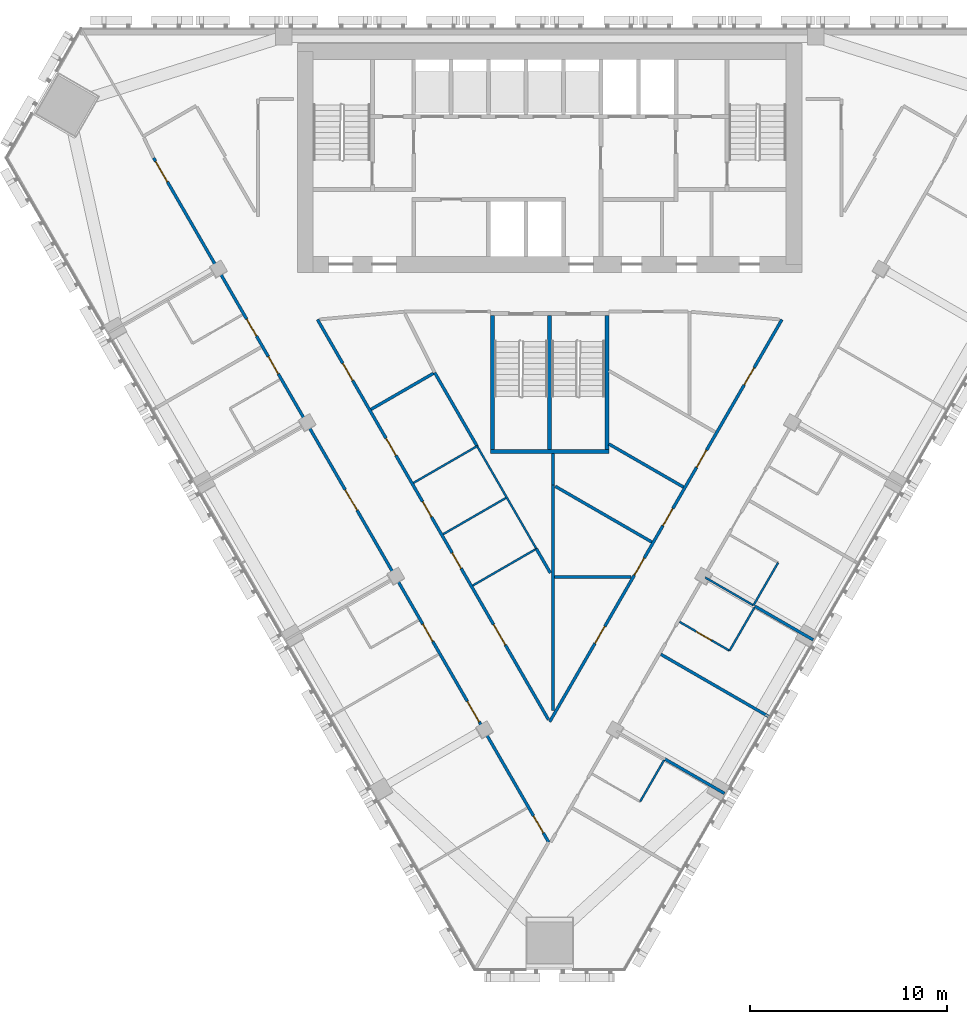
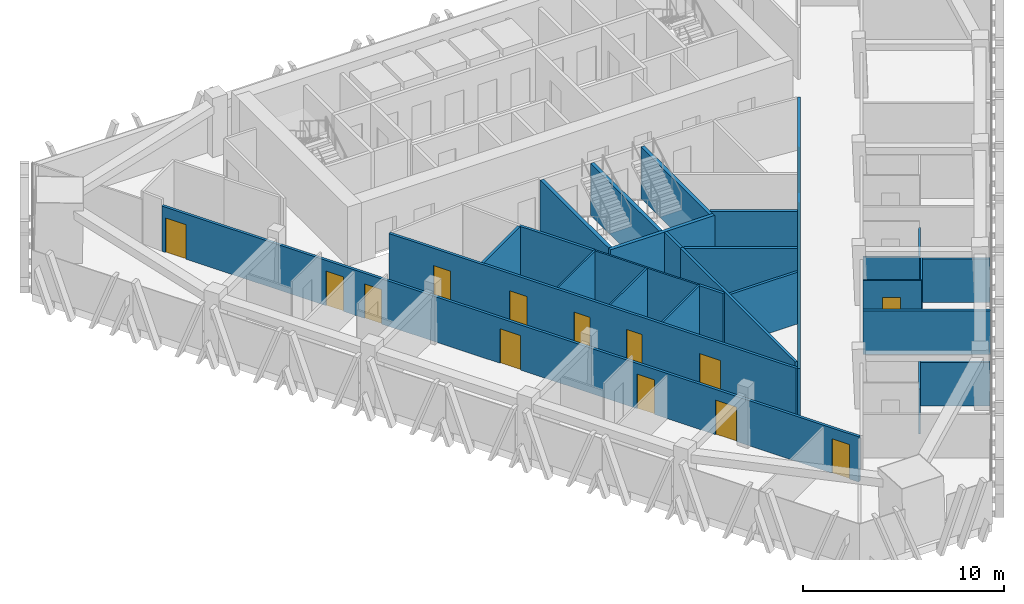
# One storey, part 9 of 16: 27 walls, 18 doors, 18 openings.
"""IFC4 building model written with IfcOpenShell, lengths in metres."""

from ifc_helpers import new_model, si_unit, direction, frame, frame_2d, origin, place, context, subcontext, project, spatial, rectangle, extrude, material, layer, layer_set, type_object, element, fill, save


model = new_model("IFC4")

# Units and contexts
model_context = context("Model", 3, precision=1e-05, world=origin(), true_north=direction((0.0, 1.0)))
body_context = subcontext(model_context, "Body", "Model", "MODEL_VIEW")
ifc_project = project(units=[si_unit("LENGTHUNIT", "METRE"), si_unit("AREAUNIT", "SQUARE_METRE"), si_unit("VOLUMEUNIT", "CUBIC_METRE"), si_unit("PLANEANGLEUNIT", "RADIAN"), si_unit("MASSUNIT", "GRAM", prefix="KILO")], contexts=[model_context])

# Site, building, storey
site_placement = place(None, origin())
site = spatial("IfcSite", under=ifc_project, at=site_placement, CompositionType="ELEMENT")
building_placement = place(site_placement, origin())
building = spatial("IfcBuilding", under=site, at=building_placement, Name="Altiplano Prism Tower", CompositionType="ELEMENT")
storey_placement = place(building_placement, frame((0.0, 0.0, 138.60009765625)))
storey = spatial("IfcBuildingStorey", under=building, at=storey_placement, Name="L35", CompositionType="ELEMENT", Elevation=138.60009765625)

# Walls
ifc_material_1 = material(Name="Plasterboard on steel stud", Category="steel")
ifc_layer_1 = layer(ifc_material_1, 0.10009765625)
ifc_layer_set_1 = layer_set([ifc_layer_1], Name="Plasterboard on steel stud")
wall_type_1 = type_object("IfcWallType", Name="Partition 100 unit", PredefinedType="PARTITIONING", material=ifc_layer_set_1)
wall_1_placement = place(storey_placement, frame((90.8017578125, 67.838623046875, 0.0), z_axis=(0.0, 0.0, 1.0), x_axis=(-0.500047793048, -0.865997808697, 0.0)))
element("IfcWall", 1, at=wall_1_placement, inside=storey, type_object=wall_type_1, Name="Partition P02 L35 043", PredefinedType="PARTITIONING", context=body_context, shape_type="SweptSolid", body=[
    extrude(rectangle(XDim=2.425048828125, YDim=0.10009765625, at=frame_2d((1.21240234375, 0.0))), origin(), (0.0, 0.0, 1.0), 2.75),
])
wall_2_placement = place(storey_placement, frame((95.38818359375, 75.582763671875, 0.0), z_axis=(0.0, 0.0, 1.0), x_axis=(-0.50001820224, -0.866014894461, 0.0)))
element("IfcWall", 2, at=wall_2_placement, inside=storey, type_object=wall_type_1, Name="Partition P02 L35 048", PredefinedType="PARTITIONING", context=body_context, shape_type="SweptSolid", body=[
    extrude(rectangle(XDim=2.52490234375, YDim=0.10009765625, at=frame_2d((1.262451171875, 0.0))), origin(), (0.0, 0.0, 1.0), 2.75),
])

# Wall, opening, door
wall_3_placement = place(storey_placement, frame((94.125732421875, 73.396240234375, 0.0), z_axis=(0.0, 0.0, 1.0), x_axis=(-0.866046596414, 0.499963291492, 0.0)))
wall_3 = element("IfcWall", 3, at=wall_3_placement, inside=storey, type_object=wall_type_1, Name="Partition P02 L35 049", PredefinedType="PARTITIONING", context=body_context, shape_type="SweptSolid", body=[
    extrude(rectangle(XDim=2.925048828125, YDim=0.10009765625, at=frame_2d((1.46240234375, 0.0))), origin(), (0.0, 0.0, 1.0), 3.14990234375),
])
opening_1_placement = place(wall_3_placement, frame((1.050048828125, 0.0, 0.0)))
opening_1 = element("IfcOpeningElement", 4, at=opening_1_placement, cuts=wall_3, Name="Opening D1278", PredefinedType="OPENING", context=body_context, shape_type="SweptSolid", body=[
    extrude(rectangle(XDim=0.89990234375, YDim=2.10009765625, at=frame_2d((0.449951171875, 1.050048828125))), frame((0.0, 0.060546875, 0.0), z_axis=(0.0, -1.0, 0.0), x_axis=(1.0, 0.0, 0.0)), (0.0, 0.0, 1.0), 0.12109375),
])
ifc_material_2 = material(Name="Timber", Category="wood")
door_type_1 = type_object("IfcDoorType", Name="Ensuite door 900 x 2100", OperationType="NOTDEFINED", PredefinedType="NOTDEFINED", material=ifc_material_2)
door_1_placement = place(opening_1_placement, origin())
door_1 = element("IfcDoor", 5, at=door_1_placement, inside=storey, type_object=door_type_1, Name="Door D1278", OperationType="SINGLE_SWING_LEFT", OverallHeight=2.10009765625, OverallWidth=0.89990234375, PredefinedType="NOTDEFINED", context=body_context, shape_type="SweptSolid", body=[
    extrude(rectangle(XDim=0.89990234375, YDim=2.10009765625, at=frame_2d((0.449951171875, 1.050048828125))), frame((0.0, 0.02490234375, 0.0), z_axis=(0.0, -1.0, 0.0), x_axis=(1.0, 0.0, 0.0)), (0.0, 0.0, 1.0), 0.050048828125),
])
fill(opening_1, door_1)

# Walls
wall_4_placement = place(storey_placement, frame((96.589111328125, 77.86279296875, 0.0), z_axis=(0.0, 0.0, 1.0), x_axis=(-0.500004234368, -0.866022959057, 0.0)))
element("IfcWall", 6, at=wall_4_placement, inside=storey, type_object=wall_type_1, Name="Partition P02 L35 053", PredefinedType="PARTITIONING", context=body_context, shape_type="SweptSolid", body=[
    extrude(rectangle(XDim=2.5, YDim=0.10009765625, at=frame_2d((1.25, 0.0))), origin(), (0.0, 0.0, 1.0), 2.75),
])
ifc_layer_2 = layer(ifc_material_1, 0.10009765625)
ifc_layer_set_2 = layer_set([ifc_layer_2], Name="Plasterboard on steel stud")
wall_type_2 = type_object("IfcWallType", Name="Partition 100 wet", PredefinedType="PARTITIONING", material=ifc_layer_set_2)
wall_5_placement = place(storey_placement, frame((82.77685546875, 81.14794921875, 0.0), z_axis=(0.0, 0.0, 1.0), x_axis=(-0.866020910976, -0.500007781692, 0.0)))
element("IfcWall", 7, at=wall_5_placement, inside=storey, type_object=wall_type_2, Name="Partition P03 L35 021", PredefinedType="PARTITIONING", context=body_context, shape_type="SweptSolid", body=[
    extrude(rectangle(XDim=3.6787109375, YDim=0.10009765625, at=frame_2d((1.83935546875, 0.0))), origin(), (0.0, 0.0, 1.0), 3.14990234375),
])
wall_6_placement = place(storey_placement, frame((84.333984375, 78.551025390625, 0.0), z_axis=(0.0, 0.0, 1.0), x_axis=(-0.500002829465, 0.866023770186, 0.0)))
element("IfcWall", 8, at=wall_6_placement, inside=storey, type_object=wall_type_2, Name="Partition P03 L35 022", PredefinedType="PARTITIONING", context=body_context, shape_type="SweptSolid", body=[
    extrude(rectangle(XDim=6.05517578125, YDim=0.10009765625, at=frame_2d((3.027587890625, 0.0))), origin(), (0.0, 0.0, 1.0), 3.14990234375),
])
for number, where, z_axis, x_axis, name in (
    (9, (81.0947265625, 76.703857421875, 0.0), (0.0, 0.0, 1.0), (0.866014403787, 0.50001905207, 0.0), "Partition P03 L35 023"),
    (10, (81.31640625, 83.777587890625, 0.0), (0.0, 0.0, 1.0), (-0.866014403787, -0.50001905207, 0.0), "Partition P03 L35 024"),
):
    element("IfcWall", number, at=place(storey_placement, frame(where, z_axis=z_axis, x_axis=x_axis)), inside=storey, type_object=wall_type_2, Name=name, PredefinedType="PARTITIONING", context=body_context, shape_type="SweptSolid", body=[
        extrude(rectangle(XDim=3.728759765625, YDim=0.10009765625, at=frame_2d((1.8642578125, 0.0))), origin(), (0.0, 0.0, 1.0), 3.14990234375),
    ])
wall_7_placement = place(storey_placement, frame((95.339111328125, 75.69775390625, 0.0), z_axis=(0.0, 0.0, 1.0), x_axis=(-0.866011447264, 0.500024172624, 0.0)))
element("IfcWall", 11, at=wall_7_placement, inside=storey, type_object=wall_type_2, Name="Partition P03 L35 051", PredefinedType="PARTITIONING", context=body_context, shape_type="SweptSolid", body=[
    extrude(rectangle(XDim=2.824951171875, YDim=0.10009765625, at=frame_2d((1.41259765625, 0.0))), origin(), (0.0, 0.0, 1.0), 2.75),
])

# Wall, openings, doors
ifc_layer_3 = layer(ifc_material_1, 0.14990234375)
ifc_layer_set_3 = layer_set([ifc_layer_3], Name="Plasterboard on steel stud")
wall_type_3 = type_object("IfcWallType", Name="Partition 150 corridor", PredefinedType="PARTITIONING", material=ifc_layer_set_3)
wall_8_placement = place(storey_placement, frame((84.93505859375, 69.90234375, 0.0), z_axis=(0.0, 0.0, 1.0), x_axis=(-0.499997468525, 0.866026865327, 0.0)))
wall_8 = element("IfcWall", 12, at=wall_8_placement, inside=storey, type_object=wall_type_3, Name="Partition P06 L35 001", PredefinedType="PARTITIONING", context=body_context, shape_type="SweptSolid", body=[
    extrude(rectangle(XDim=23.4375, YDim=0.14990234375, at=frame_2d((11.71875, 0.0))), origin(), (0.0, 0.0, 1.0), 3.14990234375),
])
opening_2_placement = place(wall_8_placement, frame((8.864013671875, 0.0, 0.0)))
opening_2 = element("IfcOpeningElement", 13, at=opening_2_placement, cuts=wall_8, Name="Opening D1259", PredefinedType="OPENING", context=body_context, shape_type="SweptSolid", body=[
    extrude(rectangle(XDim=0.89990234375, YDim=2.10009765625, at=frame_2d((0.449951171875, 1.050048828125))), frame((0.0, 0.08544921875, 0.0), z_axis=(0.0, -1.0, 0.0), x_axis=(1.0, 0.0, 0.0)), (0.0, 0.0, 1.0), 0.1708984375),
])
opening_3_placement = place(wall_8_placement, frame((11.8720703125, 0.0, 0.0)))
opening_3 = element("IfcOpeningElement", 14, at=opening_3_placement, cuts=wall_8, Name="Opening D1260", PredefinedType="OPENING", context=body_context, shape_type="SweptSolid", body=[
    extrude(rectangle(XDim=0.89990234375, YDim=2.10009765625, at=frame_2d((0.449951171875, 1.050048828125))), frame((0.0, 0.08544921875, 0.0), z_axis=(0.0, -1.0, 0.0), x_axis=(1.0, 0.0, 0.0)), (0.0, 0.0, 1.0), 0.1708984375),
])
opening_4_placement = place(wall_8_placement, frame((4.367919921875, 0.0, 0.0)))
opening_4 = element("IfcOpeningElement", 15, at=opening_4_placement, cuts=wall_8, Name="Opening D1289", PredefinedType="OPENING", context=body_context, shape_type="SweptSolid", body=[
    extrude(rectangle(XDim=1.199951171875, YDim=2.10009765625, at=frame_2d((0.60009765625, 1.050048828125))), frame((0.0, 0.08544921875, 0.0), z_axis=(0.0, -1.0, 0.0), x_axis=(1.0, 0.0, 0.0)), (0.0, 0.0, 1.0), 0.1708984375),
])
opening_5_placement = place(wall_8_placement, frame((15.47900390625, 0.0, 0.0)))
opening_5 = element("IfcOpeningElement", 16, at=opening_5_placement, cuts=wall_8, Name="Opening D1293", PredefinedType="OPENING", context=body_context, shape_type="SweptSolid", body=[
    extrude(rectangle(XDim=1.0, YDim=2.10009765625, at=frame_2d((0.5, 1.050048828125))), frame((0.0, 0.08544921875, 0.0), z_axis=(0.0, -1.0, 0.0), x_axis=(1.0, 0.0, 0.0)), (0.0, 0.0, 1.0), 0.1708984375),
])
opening_6_placement = place(wall_8_placement, frame((19.876953125, 0.0, 0.0)))
opening_6 = element("IfcOpeningElement", 17, at=opening_6_placement, cuts=wall_8, Name="Opening D1294", PredefinedType="OPENING", context=body_context, shape_type="SweptSolid", body=[
    extrude(rectangle(XDim=1.0, YDim=2.10009765625, at=frame_2d((0.5, 1.050048828125))), frame((0.0, 0.08544921875, 0.0), z_axis=(0.0, -1.0, 0.0), x_axis=(1.0, 0.0, 0.0)), (0.0, 0.0, 1.0), 0.1708984375),
])
door_type_2 = type_object("IfcDoorType", Name="Room door 1000 x 2100", OperationType="NOTDEFINED", PredefinedType="NOTDEFINED", material=ifc_material_2)
door_2_placement = place(opening_6_placement, origin())
door_2 = element("IfcDoor", 18, at=door_2_placement, inside=storey, type_object=door_type_2, Name="Door D1294", OperationType="SINGLE_SWING_RIGHT", OverallHeight=2.10009765625, OverallWidth=1.0, PredefinedType="NOTDEFINED", context=body_context, shape_type="SweptSolid", body=[
    extrude(rectangle(XDim=1.0, YDim=2.10009765625, at=frame_2d((0.5, 1.050048828125))), frame((0.0, 0.02490234375, 0.0), z_axis=(0.0, -1.0, 0.0), x_axis=(1.0, 0.0, 0.0)), (0.0, 0.0, 1.0), 0.050048828125),
])
fill(opening_6, door_2)
door_type_3 = type_object("IfcDoorType", Name="Shared room door 1200 x 2100", OperationType="NOTDEFINED", PredefinedType="NOTDEFINED", material=ifc_material_2)
door_3_placement = place(opening_4_placement, origin())
door_3 = element("IfcDoor", 19, at=door_3_placement, inside=storey, type_object=door_type_3, Name="Door D1289", OperationType="SINGLE_SWING_LEFT", OverallHeight=2.10009765625, OverallWidth=1.199951171875, PredefinedType="NOTDEFINED", context=body_context, shape_type="SweptSolid", body=[
    extrude(rectangle(XDim=1.199951171875, YDim=2.10009765625, at=frame_2d((0.60009765625, 1.050048828125))), frame((0.0, 0.02490234375, 0.0), z_axis=(0.0, -1.0, 0.0), x_axis=(1.0, 0.0, 0.0)), (0.0, 0.0, 1.0), 0.050048828125),
])
fill(opening_4, door_3)
door_type_4 = type_object("IfcDoorType", Name="Store door 1000 x 2100", OperationType="NOTDEFINED", PredefinedType="NOTDEFINED", material=ifc_material_2)
door_4_placement = place(opening_5_placement, origin())
door_4 = element("IfcDoor", 20, at=door_4_placement, inside=storey, type_object=door_type_4, Name="Door D1293", OperationType="SINGLE_SWING_LEFT", OverallHeight=2.10009765625, OverallWidth=1.0, PredefinedType="NOTDEFINED", context=body_context, shape_type="SweptSolid", body=[
    extrude(rectangle(XDim=1.0, YDim=2.10009765625, at=frame_2d((0.5, 1.050048828125))), frame((0.0, 0.02490234375, 0.0), z_axis=(0.0, -1.0, 0.0), x_axis=(1.0, 0.0, 0.0)), (0.0, 0.0, 1.0), 0.050048828125),
])
fill(opening_5, door_4)
door_type_5 = type_object("IfcDoorType", Name="Toilet door 900 x 2100", OperationType="NOTDEFINED", PredefinedType="NOTDEFINED", material=ifc_material_2)
door_5_placement = place(opening_2_placement, origin())
door_5 = element("IfcDoor", 21, at=door_5_placement, inside=storey, type_object=door_type_5, Name="Door D1259", OperationType="SINGLE_SWING_RIGHT", OverallHeight=2.10009765625, OverallWidth=0.89990234375, PredefinedType="NOTDEFINED", context=body_context, shape_type="SweptSolid", body=[
    extrude(rectangle(XDim=0.89990234375, YDim=2.10009765625, at=frame_2d((0.449951171875, 1.050048828125))), frame((0.0, 0.02490234375, 0.0), z_axis=(0.0, -1.0, 0.0), x_axis=(1.0, 0.0, 0.0)), (0.0, 0.0, 1.0), 0.050048828125),
])
fill(opening_2, door_5)
door_6_placement = place(opening_3_placement, origin())
door_6 = element("IfcDoor", 22, at=door_6_placement, inside=storey, type_object=door_type_5, Name="Door D1260", OperationType="SINGLE_SWING_LEFT", OverallHeight=2.10009765625, OverallWidth=0.89990234375, PredefinedType="NOTDEFINED", context=body_context, shape_type="SweptSolid", body=[
    extrude(rectangle(XDim=0.89990234375, YDim=2.10009765625, at=frame_2d((0.449951171875, 1.050048828125))), frame((0.0, 0.02490234375, 0.0), z_axis=(0.0, -1.0, 0.0), x_axis=(1.0, 0.0, 0.0)), (0.0, 0.0, 1.0), 0.050048828125),
])
fill(opening_3, door_6)

wall_9_placement = place(storey_placement, frame((96.78369140625, 90.199951171875, 0.0), z_axis=(0.0, 0.0, 1.0), x_axis=(-0.499996251233, -0.866027568125, 0.0)))
wall_9 = element("IfcWall", 23, at=wall_9_placement, inside=storey, type_object=wall_type_3, Name="Partition P06 L35 002", PredefinedType="PARTITIONING", context=body_context, shape_type="SweptSolid", body=[
    extrude(rectangle(XDim=23.567626953125, YDim=0.14990234375, at=frame_2d((11.78369140625, 0.0))), origin(), (0.0, 0.0, 1.0), 3.14990234375),
])
opening_7_placement = place(wall_9_placement, frame((17.971923828125, 0.0, 0.0)))
opening_7 = element("IfcOpeningElement", 24, at=opening_7_placement, cuts=wall_9, Name="Opening D1261", PredefinedType="OPENING", context=body_context, shape_type="SweptSolid", body=[
    extrude(rectangle(XDim=1.0, YDim=2.10009765625, at=frame_2d((0.5, 1.050048828125))), frame((0.0, 0.08544921875, 0.0), z_axis=(0.0, -1.0, 0.0), x_axis=(1.0, 0.0, 0.0)), (0.0, 0.0, 1.0), 0.1708984375),
])
opening_8_placement = place(wall_9_placement, frame((13.97607421875, 0.0, 0.0)))
opening_8 = element("IfcOpeningElement", 25, at=opening_8_placement, cuts=wall_9, Name="Opening D1262", PredefinedType="OPENING", context=body_context, shape_type="SweptSolid", body=[
    extrude(rectangle(XDim=1.0, YDim=2.10009765625, at=frame_2d((0.5, 1.050048828125))), frame((0.0, 0.08544921875, 0.0), z_axis=(0.0, -1.0, 0.0), x_axis=(1.0, 0.0, 0.0)), (0.0, 0.0, 1.0), 0.1708984375),
])
opening_9_placement = place(wall_9_placement, frame((11.076904296875, 0.0, 0.0)))
opening_9 = element("IfcOpeningElement", 26, at=opening_9_placement, cuts=wall_9, Name="Opening D1290", PredefinedType="OPENING", context=body_context, shape_type="SweptSolid", body=[
    extrude(rectangle(XDim=1.0, YDim=2.10009765625, at=frame_2d((0.5, 1.050048828125))), frame((0.0, 0.08544921875, 0.0), z_axis=(0.0, -1.0, 0.0), x_axis=(1.0, 0.0, 0.0)), (0.0, 0.0, 1.0), 0.1708984375),
])
opening_10_placement = place(wall_9_placement, frame((7.656005859375, 0.0, 0.0)))
opening_10 = element("IfcOpeningElement", 27, at=opening_10_placement, cuts=wall_9, Name="Opening D1291", PredefinedType="OPENING", context=body_context, shape_type="SweptSolid", body=[
    extrude(rectangle(XDim=1.0, YDim=2.10009765625, at=frame_2d((0.5, 1.050048828125))), frame((0.0, 0.08544921875, 0.0), z_axis=(0.0, -1.0, 0.0), x_axis=(1.0, 0.0, 0.0)), (0.0, 0.0, 1.0), 0.1708984375),
])
opening_11_placement = place(wall_9_placement, frame((2.83203125, 0.0, 0.0)))
opening_11 = element("IfcOpeningElement", 28, at=opening_11_placement, cuts=wall_9, Name="Opening D1292", PredefinedType="OPENING", context=body_context, shape_type="SweptSolid", body=[
    extrude(rectangle(XDim=1.0, YDim=2.10009765625, at=frame_2d((0.5, 1.050048828125))), frame((0.0, 0.08544921875, 0.0), z_axis=(0.0, -1.0, 0.0), x_axis=(1.0, 0.0, 0.0)), (0.0, 0.0, 1.0), 0.1708984375),
])
door_7_placement = place(opening_10_placement, origin())
door_7 = element("IfcDoor", 29, at=door_7_placement, inside=storey, type_object=door_type_2, Name="Door D1291", OperationType="SINGLE_SWING_LEFT", OverallHeight=2.10009765625, OverallWidth=1.0, PredefinedType="NOTDEFINED", context=body_context, shape_type="SweptSolid", body=[
    extrude(rectangle(XDim=1.0, YDim=2.10009765625, at=frame_2d((0.5, 1.050048828125))), frame((0.0, 0.02490234375, 0.0), z_axis=(0.0, -1.0, 0.0), x_axis=(1.0, 0.0, 0.0)), (0.0, 0.0, 1.0), 0.050048828125),
])
fill(opening_10, door_7)
door_8_placement = place(opening_7_placement, origin())
door_8 = element("IfcDoor", 30, at=door_8_placement, inside=storey, type_object=door_type_4, Name="Door D1261", OperationType="SINGLE_SWING_LEFT", OverallHeight=2.10009765625, OverallWidth=1.0, PredefinedType="NOTDEFINED", context=body_context, shape_type="SweptSolid", body=[
    extrude(rectangle(XDim=1.0, YDim=2.10009765625, at=frame_2d((0.5, 1.050048828125))), frame((0.0, 0.02490234375, 0.0), z_axis=(0.0, -1.0, 0.0), x_axis=(1.0, 0.0, 0.0)), (0.0, 0.0, 1.0), 0.050048828125),
])
fill(opening_7, door_8)
door_9_placement = place(opening_8_placement, origin())
door_9 = element("IfcDoor", 31, at=door_9_placement, inside=storey, type_object=door_type_4, Name="Door D1262", OperationType="SINGLE_SWING_LEFT", OverallHeight=2.10009765625, OverallWidth=1.0, PredefinedType="NOTDEFINED", context=body_context, shape_type="SweptSolid", body=[
    extrude(rectangle(XDim=1.0, YDim=2.10009765625, at=frame_2d((0.5, 1.050048828125))), frame((0.0, 0.02490234375, 0.0), z_axis=(0.0, -1.0, 0.0), x_axis=(1.0, 0.0, 0.0)), (0.0, 0.0, 1.0), 0.050048828125),
])
fill(opening_8, door_9)
door_10_placement = place(opening_9_placement, origin())
door_10 = element("IfcDoor", 32, at=door_10_placement, inside=storey, type_object=door_type_4, Name="Door D1290", OperationType="SINGLE_SWING_LEFT", OverallHeight=2.10009765625, OverallWidth=1.0, PredefinedType="NOTDEFINED", context=body_context, shape_type="SweptSolid", body=[
    extrude(rectangle(XDim=1.0, YDim=2.10009765625, at=frame_2d((0.5, 1.050048828125))), frame((0.0, 0.02490234375, 0.0), z_axis=(0.0, -1.0, 0.0), x_axis=(1.0, 0.0, 0.0)), (0.0, 0.0, 1.0), 0.050048828125),
])
fill(opening_9, door_10)
door_11_placement = place(opening_11_placement, origin())
door_11 = element("IfcDoor", 33, at=door_11_placement, inside=storey, type_object=door_type_4, Name="Door D1292", OperationType="SINGLE_SWING_RIGHT", OverallHeight=2.10009765625, OverallWidth=1.0, PredefinedType="NOTDEFINED", context=body_context, shape_type="SweptSolid", body=[
    extrude(rectangle(XDim=1.0, YDim=2.10009765625, at=frame_2d((0.5, 1.050048828125))), frame((0.0, 0.02490234375, 0.0), z_axis=(0.0, -1.0, 0.0), x_axis=(1.0, 0.0, 0.0)), (0.0, 0.0, 1.0), 0.050048828125),
])
fill(opening_11, door_11)

wall_10_placement = place(storey_placement, frame((64.89892578125, 98.40625, 0.0), z_axis=(0.0, 0.0, 1.0), x_axis=(0.499995137693, -0.86602821102, 0.0)))
wall_10 = element("IfcWall", 34, at=wall_10_placement, inside=storey, type_object=wall_type_3, Name="Partition P06 L35 004", PredefinedType="PARTITIONING", context=body_context, shape_type="SweptSolid", body=[
    extrude(rectangle(XDim=40.09423828125, YDim=0.14990234375, at=frame_2d((20.047119140625, 0.0))), origin(), (0.0, 0.0, 1.0), 2.75),
])
opening_12_placement = place(wall_10_placement, frame((0.199951171875, 0.0, 0.0)))
opening_12 = element("IfcOpeningElement", 35, at=opening_12_placement, cuts=wall_10, Name="Opening D1263", PredefinedType="OPENING", context=body_context, shape_type="SweptSolid", body=[
    extrude(rectangle(XDim=1.199951171875, YDim=2.10009765625, at=frame_2d((0.60009765625, 1.050048828125))), frame((0.0, 0.08544921875, 0.0), z_axis=(0.0, -1.0, 0.0), x_axis=(1.0, 0.0, 0.0)), (0.0, 0.0, 1.0), 0.1708984375),
])
opening_13_placement = place(wall_10_placement, frame((9.44189453125, 0.0, 0.0)))
opening_13 = element("IfcOpeningElement", 36, at=opening_13_placement, cuts=wall_10, Name="Opening D1264", PredefinedType="OPENING", context=body_context, shape_type="SweptSolid", body=[
    extrude(rectangle(XDim=1.0, YDim=2.10009765625, at=frame_2d((0.5, 1.050048828125))), frame((0.0, 0.08544921875, 0.0), z_axis=(0.0, -1.0, 0.0), x_axis=(1.0, 0.0, 0.0)), (0.0, 0.0, 1.0), 0.1708984375),
])
opening_14_placement = place(wall_10_placement, frame((11.652099609375, 0.0, 0.0)))
opening_14 = element("IfcOpeningElement", 37, at=opening_14_placement, cuts=wall_10, Name="Opening D1266", PredefinedType="OPENING", context=body_context, shape_type="SweptSolid", body=[
    extrude(rectangle(XDim=1.0, YDim=2.10009765625, at=frame_2d((0.5, 1.050048828125))), frame((0.0, 0.08544921875, 0.0), z_axis=(0.0, -1.0, 0.0), x_axis=(1.0, 0.0, 0.0)), (0.0, 0.0, 1.0), 0.1708984375),
])
opening_15_placement = place(wall_10_placement, frame((19.447021484375, 0.0, 0.0)))
opening_15 = element("IfcOpeningElement", 38, at=opening_15_placement, cuts=wall_10, Name="Opening D1268", PredefinedType="OPENING", context=body_context, shape_type="SweptSolid", body=[
    extrude(rectangle(XDim=1.199951171875, YDim=2.10009765625, at=frame_2d((0.60009765625, 1.050048828125))), frame((0.0, 0.08544921875, 0.0), z_axis=(0.0, -1.0, 0.0), x_axis=(1.0, 0.0, 0.0)), (0.0, 0.0, 1.0), 0.1708984375),
])
opening_16_placement = place(wall_10_placement, frame((27.326904296875, 0.0, 0.0)))
opening_16 = element("IfcOpeningElement", 39, at=opening_16_placement, cuts=wall_10, Name="Opening D1269", PredefinedType="OPENING", context=body_context, shape_type="SweptSolid", body=[
    extrude(rectangle(XDim=1.0, YDim=2.10009765625, at=frame_2d((0.5, 1.050048828125))), frame((0.0, 0.08544921875, 0.0), z_axis=(0.0, -1.0, 0.0), x_axis=(1.0, 0.0, 0.0)), (0.0, 0.0, 1.0), 0.1708984375),
])
opening_17_placement = place(wall_10_placement, frame((31.846923828125, 0.0, 0.0)))
opening_17 = element("IfcOpeningElement", 40, at=opening_17_placement, cuts=wall_10, Name="Opening D1271", PredefinedType="OPENING", context=body_context, shape_type="SweptSolid", body=[
    extrude(rectangle(XDim=1.199951171875, YDim=2.10009765625, at=frame_2d((0.60009765625, 1.050048828125))), frame((0.0, 0.08544921875, 0.0), z_axis=(0.0, -1.0, 0.0), x_axis=(1.0, 0.0, 0.0)), (0.0, 0.0, 1.0), 0.1708984375),
])
opening_18_placement = place(wall_10_placement, frame((38.55810546875, 0.0, 0.0)))
opening_18 = element("IfcOpeningElement", 41, at=opening_18_placement, cuts=wall_10, Name="Opening D1272", PredefinedType="OPENING", context=body_context, shape_type="SweptSolid", body=[
    extrude(rectangle(XDim=1.0, YDim=2.10009765625, at=frame_2d((0.5, 1.050048828125))), frame((0.0, 0.08544921875, 0.0), z_axis=(0.0, -1.0, 0.0), x_axis=(1.0, 0.0, 0.0)), (0.0, 0.0, 1.0), 0.1708984375),
])
door_type_6 = type_object("IfcDoorType", Name="Bedroom entrance door 1000 x 2100", OperationType="NOTDEFINED", PredefinedType="NOTDEFINED", material=ifc_material_2)
door_12_placement = place(opening_13_placement, origin())
door_12 = element("IfcDoor", 42, at=door_12_placement, inside=storey, type_object=door_type_6, Name="Door D1264", OperationType="SINGLE_SWING_LEFT", OverallHeight=2.10009765625, OverallWidth=1.0, PredefinedType="NOTDEFINED", context=body_context, shape_type="SweptSolid", body=[
    extrude(rectangle(XDim=1.0, YDim=2.10009765625, at=frame_2d((0.5, 1.050048828125))), frame((0.0, 0.02490234375, 0.0), z_axis=(0.0, -1.0, 0.0), x_axis=(1.0, 0.0, 0.0)), (0.0, 0.0, 1.0), 0.050048828125),
])
fill(opening_13, door_12)
door_13_placement = place(opening_14_placement, origin())
door_13 = element("IfcDoor", 43, at=door_13_placement, inside=storey, type_object=door_type_6, Name="Door D1266", OperationType="SINGLE_SWING_RIGHT", OverallHeight=2.10009765625, OverallWidth=1.0, PredefinedType="NOTDEFINED", context=body_context, shape_type="SweptSolid", body=[
    extrude(rectangle(XDim=1.0, YDim=2.10009765625, at=frame_2d((0.5, 1.050048828125))), frame((0.0, 0.02490234375, 0.0), z_axis=(0.0, -1.0, 0.0), x_axis=(1.0, 0.0, 0.0)), (0.0, 0.0, 1.0), 0.050048828125),
])
fill(opening_14, door_13)
door_14_placement = place(opening_16_placement, origin())
door_14 = element("IfcDoor", 44, at=door_14_placement, inside=storey, type_object=door_type_6, Name="Door D1269", OperationType="SINGLE_SWING_LEFT", OverallHeight=2.10009765625, OverallWidth=1.0, PredefinedType="NOTDEFINED", context=body_context, shape_type="SweptSolid", body=[
    extrude(rectangle(XDim=1.0, YDim=2.10009765625, at=frame_2d((0.5, 1.050048828125))), frame((0.0, 0.02490234375, 0.0), z_axis=(0.0, -1.0, 0.0), x_axis=(1.0, 0.0, 0.0)), (0.0, 0.0, 1.0), 0.050048828125),
])
fill(opening_16, door_14)
door_15_placement = place(opening_18_placement, origin())
door_15 = element("IfcDoor", 45, at=door_15_placement, inside=storey, type_object=door_type_2, Name="Door D1272", OperationType="SINGLE_SWING_RIGHT", OverallHeight=2.10009765625, OverallWidth=1.0, PredefinedType="NOTDEFINED", context=body_context, shape_type="SweptSolid", body=[
    extrude(rectangle(XDim=1.0, YDim=2.10009765625, at=frame_2d((0.5, 1.050048828125))), frame((0.0, 0.02490234375, 0.0), z_axis=(0.0, -1.0, 0.0), x_axis=(1.0, 0.0, 0.0)), (0.0, 0.0, 1.0), 0.050048828125),
])
fill(opening_18, door_15)
door_16_placement = place(opening_12_placement, origin())
door_16 = element("IfcDoor", 46, at=door_16_placement, inside=storey, type_object=door_type_3, Name="Door D1263", OperationType="SINGLE_SWING_LEFT", OverallHeight=2.10009765625, OverallWidth=1.199951171875, PredefinedType="NOTDEFINED", context=body_context, shape_type="SweptSolid", body=[
    extrude(rectangle(XDim=1.199951171875, YDim=2.10009765625, at=frame_2d((0.60009765625, 1.050048828125))), frame((0.0, 0.02490234375, 0.0), z_axis=(0.0, -1.0, 0.0), x_axis=(1.0, 0.0, 0.0)), (0.0, 0.0, 1.0), 0.050048828125),
])
fill(opening_12, door_16)
door_17_placement = place(opening_15_placement, origin())
door_17 = element("IfcDoor", 47, at=door_17_placement, inside=storey, type_object=door_type_3, Name="Door D1268", OperationType="SINGLE_SWING_RIGHT", OverallHeight=2.10009765625, OverallWidth=1.199951171875, PredefinedType="NOTDEFINED", context=body_context, shape_type="SweptSolid", body=[
    extrude(rectangle(XDim=1.199951171875, YDim=2.10009765625, at=frame_2d((0.60009765625, 1.050048828125))), frame((0.0, 0.02490234375, 0.0), z_axis=(0.0, -1.0, 0.0), x_axis=(1.0, 0.0, 0.0)), (0.0, 0.0, 1.0), 0.050048828125),
])
fill(opening_15, door_17)
door_18_placement = place(opening_17_placement, origin())
door_18 = element("IfcDoor", 48, at=door_18_placement, inside=storey, type_object=door_type_3, Name="Door D1271", OperationType="SINGLE_SWING_LEFT", OverallHeight=2.10009765625, OverallWidth=1.199951171875, PredefinedType="NOTDEFINED", context=body_context, shape_type="SweptSolid", body=[
    extrude(rectangle(XDim=1.199951171875, YDim=2.10009765625, at=frame_2d((0.60009765625, 1.050048828125))), frame((0.0, 0.02490234375, 0.0), z_axis=(0.0, -1.0, 0.0), x_axis=(1.0, 0.0, 0.0)), (0.0, 0.0, 1.0), 0.050048828125),
])
fill(opening_17, door_18)

# Walls
ifc_layer_4 = layer(ifc_material_1, 0.14990234375)
ifc_layer_set_4 = layer_set([ifc_layer_4], Name="Plasterboard on steel stud")
wall_type_4 = type_object("IfcWallType", Name="Partition 150 party", PredefinedType="PARTITIONING", material=ifc_layer_set_4)
wall_11_placement = place(storey_placement, frame((89.114990234375, 77.142333984375, 0.0), z_axis=(0.0, 0.0, 1.0), x_axis=(-1.0, 0.0, 0.0)))
element("IfcWall", 49, at=wall_11_placement, inside=storey, type_object=wall_type_4, Name="Partition P01 L35 025", PredefinedType="PARTITIONING", context=body_context, shape_type="SweptSolid", body=[
    extrude(rectangle(XDim=3.869140625, YDim=0.14990234375, at=frame_2d((1.9345703125, 0.0))), origin(), (0.0, 0.0, 1.0), 3.14990234375),
])
wall_12_placement = place(storey_placement, frame((85.1708984375, 81.824462890625, 0.0), z_axis=(0.0, 0.0, 1.0), x_axis=(0.0, -1.0, 0.0)))
element("IfcWall", 50, at=wall_12_placement, inside=storey, type_object=wall_type_4, Name="Partition P01 L35 026", PredefinedType="PARTITIONING", context=body_context, shape_type="SweptSolid", body=[
    extrude(rectangle(XDim=11.458984375, YDim=0.14990234375, at=frame_2d((5.7294921875, 0.0))), origin(), (0.0, 0.0, 1.0), 3.14990234375),
])
wall_13_placement = place(storey_placement, frame((90.18017578125, 78.912109375, 0.0), z_axis=(0.0, 0.0, 1.0), x_axis=(-0.866015900655, 0.500016459542, 0.0)))
element("IfcWall", 51, at=wall_13_placement, inside=storey, type_object=wall_type_4, Name="Partition P01 L35 027", PredefinedType="PARTITIONING", context=body_context, shape_type="SweptSolid", body=[
    extrude(rectangle(XDim=5.654541015625, YDim=0.14990234375, at=frame_2d((2.8271484375, 0.0))), origin(), (0.0, 0.0, 1.0), 3.14990234375),
])
wall_14_placement = place(storey_placement, frame((93.870361328125, 66.153564453125, 0.0), z_axis=(0.0, 0.0, 1.0), x_axis=(-0.866036599697, 0.499980607609, 0.0)))
element("IfcWall", 52, at=wall_14_placement, inside=storey, type_object=wall_type_4, Name="Partition P01 L35 045", PredefinedType="PARTITIONING", context=body_context, shape_type="SweptSolid", body=[
    extrude(rectangle(XDim=3.520263671875, YDim=0.14990234375, at=frame_2d((1.76025390625, 0.0))), origin(), (0.0, 0.0, 1.0), 2.64990234375),
])
wall_15_placement = place(storey_placement, frame((96.1376953125, 70.04052734375, 0.0), z_axis=(0.0, 0.0, 1.0), x_axis=(-0.866025401434, 0.500000004071, 0.0)))
element("IfcWall", 53, at=wall_15_placement, inside=storey, type_object=wall_type_4, Name="Partition P01 L35 047", PredefinedType="PARTITIONING", context=body_context, shape_type="SweptSolid", body=[
    extrude(rectangle(XDim=6.34521484375, YDim=0.14990234375, at=frame_2d((3.172607421875, 0.0))), origin(), (0.0, 0.0, 1.0), 2.64990234375),
])
wall_16_placement = place(storey_placement, frame((98.370361328125, 73.94775390625, 0.0), z_axis=(0.0, 0.0, 1.0), x_axis=(-0.866038183914, 0.499977863513, 0.0)))
element("IfcWall", 54, at=wall_16_placement, inside=storey, type_object=wall_type_4, Name="Partition P01 L35 050", PredefinedType="PARTITIONING", context=body_context, shape_type="SweptSolid", body=[
    extrude(rectangle(XDim=3.420166015625, YDim=0.14990234375, at=frame_2d((1.7099609375, 0.0))), origin(), (0.0, 0.0, 1.0), 2.64990234375),
])
wall_17_placement = place(storey_placement, frame((84.323974609375, 78.568359375, 0.0), z_axis=(0.0, 0.0, 1.0), x_axis=(0.499946688677, -0.866056180903, 0.0)))
element("IfcWall", 55, at=wall_17_placement, inside=storey, type_object=wall_type_4, Name="Partition P01 L35 061", PredefinedType="PARTITIONING", context=body_context, shape_type="SweptSolid", body=[
    extrude(rectangle(XDim=1.413818359375, YDim=0.14990234375, at=frame_2d((0.70703125, 0.0))), origin(), (0.0, 0.0, 1.0), 3.14990234375),
])
wall_18_placement = place(storey_placement, frame((85.1708984375, 81.804443359375, 0.0), z_axis=(0.0, 0.0, 1.0), x_axis=(0.0, 1.0, 0.0)))
element("IfcWall", 56, at=wall_18_placement, inside=storey, type_object=wall_type_4, Name="Partition P01 L35 062", PredefinedType="PARTITIONING", context=body_context, shape_type="SweptSolid", body=[
    extrude(rectangle(XDim=1.595458984375, YDim=0.14990234375, at=frame_2d((0.7978515625, 0.0))), origin(), (0.0, 0.0, 1.0), 3.14990234375),
])
wall_19_placement = place(storey_placement, frame((79.16259765625, 87.508056640625, 0.0), z_axis=(0.0, 0.0, 1.0), x_axis=(0.500003735859, -0.866023246874, 0.0)))
element("IfcWall", 57, at=wall_19_placement, inside=storey, type_object=wall_type_4, Name="Partition P01 L35 063", PredefinedType="PARTITIONING", context=body_context, shape_type="SweptSolid", body=[
    extrude(rectangle(XDim=4.3076171875, YDim=0.14990234375, at=frame_2d((2.15380859375, 0.0))), origin(), (0.0, 0.0, 1.0), 3.14990234375),
])
wall_20_placement = place(storey_placement, frame((91.789794921875, 81.7001953125, 0.0), z_axis=(0.0, 0.0, 1.0), x_axis=(-0.866006276197, 0.50003312849, 0.0)))
element("IfcWall", 58, at=wall_20_placement, inside=storey, type_object=wall_type_4, Name="Partition P01 L35 065", PredefinedType="PARTITIONING", context=body_context, shape_type="SweptSolid", body=[
    extrude(rectangle(XDim=4.376220703125, YDim=0.14990234375, at=frame_2d((2.18798828125, 0.0))), origin(), (0.0, 0.0, 1.0), 3.14990234375),
])
wall_21_placement = place(storey_placement, frame((79.09765625, 87.470458984375, 0.0), z_axis=(0.0, 0.0, 1.0), x_axis=(-0.866026469644, -0.499998153873, 0.0)))
element("IfcWall", 59, at=wall_21_placement, inside=storey, type_object=wall_type_4, Name="Partition P01 L35 068", PredefinedType="PARTITIONING", context=body_context, shape_type="SweptSolid", body=[
    extrude(rectangle(XDim=3.65380859375, YDim=0.14990234375, at=frame_2d((1.826904296875, 0.0))), origin(), (0.0, 0.0, 1.0), 3.14990234375),
])
ifc_material_3 = material(Name="Concrete C60/75", Category="concrete")
ifc_layer_5 = layer(ifc_material_3, 0.199951171875)
ifc_layer_set_5 = layer_set([ifc_layer_5], Name="Concrete C60/75")
wall_type_5 = type_object("IfcWallType", Name="Stair wall 200", PredefinedType="SOLIDWALL", material=ifc_layer_set_5)
wall_22_placement = place(storey_placement, frame((82.0, 83.5, 0.0), z_axis=(0.0, 0.0, 1.0), x_axis=(1.0, 0.0, 0.0)))
element("IfcWall", 60, at=wall_22_placement, inside=storey, type_object=wall_type_5, Name="Stair 3 wall south L35", PredefinedType="SOLIDWALL", context=body_context, shape_type="SweptSolid", body=[
    extrude(rectangle(XDim=6.0, YDim=0.199951171875, at=frame_2d((3.0, 0.0))), origin(), (0.0, 0.0, 1.0), 3.14990234375),
])
for number, where, z_axis, x_axis, name in (
    (61, (82.10009765625, 83.60009765625, 0.0), (0.0, 0.0, 1.0), (0.0, 1.0, 0.0), "Stair 3 wall west L35"),
    (62, (87.89990234375, 83.60009765625, 0.0), (0.0, 0.0, 1.0), (0.0, 1.0, 0.0), "Stair 3 wall east L35"),
    (63, (85.0, 83.60009765625, 0.0), (0.0, 0.0, 1.0), (0.0, 1.0, 0.0), "Stair 3 wall divider L35"),
):
    element("IfcWall", number, at=place(storey_placement, frame(where, z_axis=z_axis, x_axis=x_axis)), inside=storey, type_object=wall_type_5, Name=name, PredefinedType="SOLIDWALL", context=body_context, shape_type="SweptSolid", body=[
        extrude(rectangle(XDim=6.7998046875, YDim=0.199951171875, at=frame_2d((3.39990234375, 0.0))), origin(), (0.0, 0.0, 1.0), 3.14990234375),
    ])

save(model, "model.ifc")
